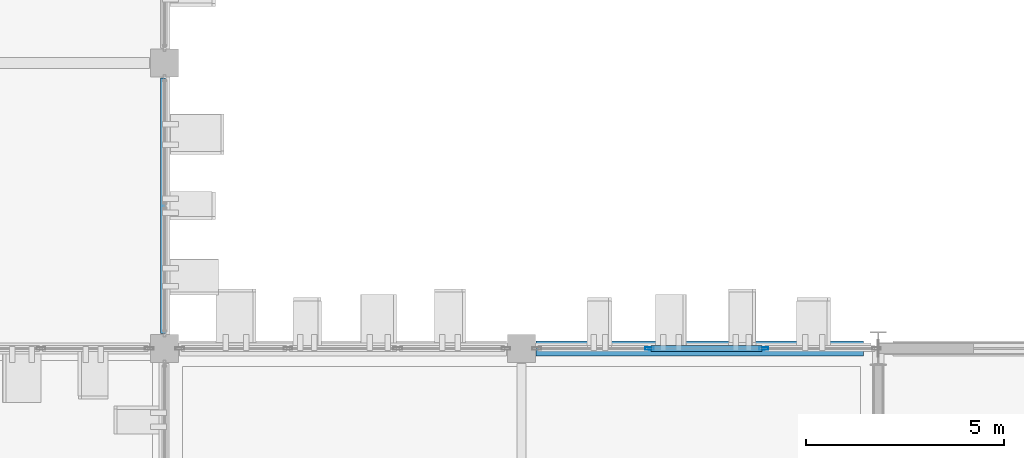
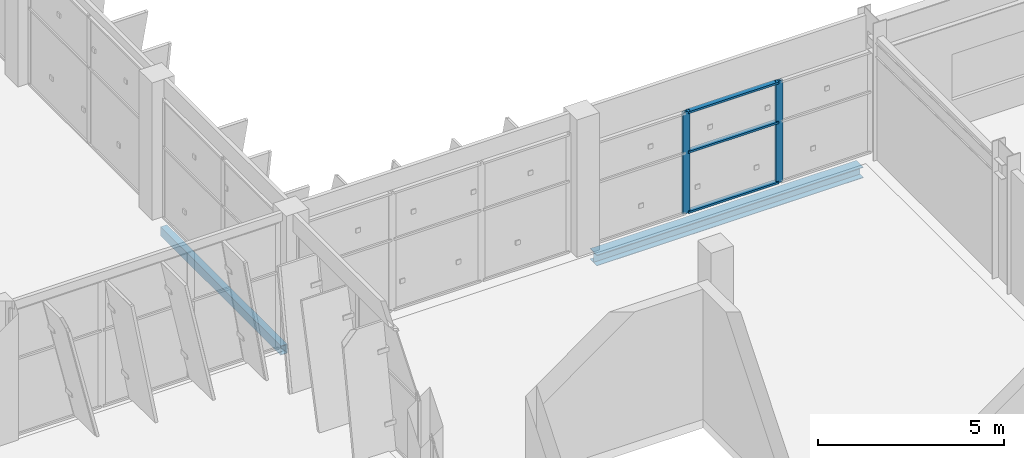
# One storey, part 46 of 151: 5 members, 2 beams, 1 element without a shape of its own.
"""IFC4 building model written with IfcOpenShell, lengths in metres."""

from ifc_helpers import new_model, si_unit, direction, frame, origin, origin_2d, place, context, subcontext, project, spatial, hollow_rectangle, i_section, extrude, material, layer, layer_set, material_profile, profile_set, type_object, element, aggregate, save


model = new_model("IFC4")

# Units and contexts
model_context = context("Model", 3, precision=1e-05, world=origin(), true_north=direction((0.0, 1.0)))
body_context = subcontext(model_context, "Body", "Model", "MODEL_VIEW")
ifc_project = project(units=[si_unit("LENGTHUNIT", "METRE"), si_unit("AREAUNIT", "SQUARE_METRE"), si_unit("VOLUMEUNIT", "CUBIC_METRE"), si_unit("PLANEANGLEUNIT", "RADIAN"), si_unit("MASSUNIT", "GRAM", prefix="KILO")], contexts=[model_context])

# Site, building, storey
site_placement = place(None, origin())
site = spatial("IfcSite", under=ifc_project, at=site_placement, CompositionType="ELEMENT")
building_placement = place(site_placement, origin())
building = spatial("IfcBuilding", under=site, at=building_placement, Name="Celestram Park Convention Centre", CompositionType="ELEMENT")
storey_placement = place(building_placement, frame((0.0, 0.0, 10.800048828125)))
storey = spatial("IfcBuildingStorey", under=building, at=storey_placement, Name="L02", CompositionType="ELEMENT", Elevation=10.800048828125)

# Curtain wall, members
ifc_material_1 = material(Name="Anodised Aluminium Alloy 6063-T6", Category="aluminium")
ifc_layer = layer(ifc_material_1, 0.179931640625)
ifc_layer_set = layer_set([ifc_layer], Name="Anodised Aluminium Alloy 6063-T6")
curtain_wall_type = type_object("IfcCurtainWallType", Name="ARC-CW-864X334", PredefinedType="NOTDEFINED", material=ifc_layer_set)
curtain_wall_placement = place(storey_placement, origin())
curtain_wall = element("IfcCurtainWall", 1, at=curtain_wall_placement, inside=storey, type_object=curtain_wall_type, Name="Unitised curtain wall CU-L02-145", PredefinedType="NOTDEFINED")
ifc_material_profile_1 = material_profile(ifc_material_1, hollow_rectangle(XDim=0.074951171875, YDim=0.219970703125, WallThickness=0.00390625, at=origin_2d()), Name="ALU75X220X4")
ifc_profile_set_1 = profile_set([ifc_material_profile_1], Name="Anodised Aluminium Alloy 6063-T6")
member_type_1 = type_object("IfcMemberType", Name="ARC-CWM-180", PredefinedType="MULLION", material=ifc_profile_set_1)
member_1_placement = place(storey_placement, frame((156.229736328125, 36.0, 0.0), z_axis=(0.0, 0.0, 1.0), x_axis=(0.0, 1.0, 0.0)))
member_1 = element("IfcMember", 2, at=member_1_placement, type_object=member_type_1, Name="CW-86X33 mullion 2", PredefinedType="MULLION", context=body_context, shape_type="SweptSolid", body=[
    extrude(hollow_rectangle(XDim=0.074951171875, YDim=0.219970703125, WallThickness=0.00390625, at=origin_2d()), origin(), (0.0, 0.0, 1.0), 3.3359375),
])
member_2_placement = place(storey_placement, frame((159.111328125, 36.0, 0.0), z_axis=(0.0, 0.0, 1.0), x_axis=(0.0, 1.0, 0.0)))
member_2 = element("IfcMember", 3, at=member_2_placement, type_object=member_type_1, Name="CW-86X33 mullion 3", PredefinedType="MULLION", context=body_context, shape_type="SweptSolid", body=[
    extrude(hollow_rectangle(XDim=0.074951171875, YDim=0.219970703125, WallThickness=0.00390625, at=origin_2d()), origin(), (0.0, 0.0, 1.0), 3.3359375),
])
ifc_material_profile_2 = material_profile(ifc_material_1, hollow_rectangle(XDim=0.14990234375, YDim=0.06494140625, WallThickness=0.0029296875, at=origin_2d()), Name="ALU150X65X3")
ifc_profile_set_2 = profile_set([ifc_material_profile_2], Name="Anodised Aluminium Alloy 6063-T6")
member_type_2 = type_object("IfcMemberType", Name="ARC-CWT-150", PredefinedType="USERDEFINED", material=ifc_profile_set_2)
member_3_placement = place(storey_placement, frame((156.26708984375, 36.0, 0.032470703125), z_axis=(1.0, 0.0, 0.0), x_axis=(0.0, 1.0, 0.0)))
member_3 = element("IfcMember", 4, at=member_3_placement, type_object=member_type_2, Name="CW-86X33 transom 2.1", ObjectType="TRANSOM", PredefinedType="USERDEFINED", context=body_context, shape_type="SweptSolid", body=[
    extrude(hollow_rectangle(XDim=0.14990234375, YDim=0.06494140625, WallThickness=0.0029296875, at=origin_2d()), origin(), (0.0, 0.0, 1.0), 2.806640625),
])
member_4_placement = place(storey_placement, frame((156.26708984375, 36.0, 2.001953125), z_axis=(1.0, 0.0, 0.0), x_axis=(0.0, 1.0, 0.0)))
member_4 = element("IfcMember", 5, at=member_4_placement, type_object=member_type_2, Name="CW-86X33 transom 2.2", ObjectType="TRANSOM", PredefinedType="USERDEFINED", context=body_context, shape_type="SweptSolid", body=[
    extrude(hollow_rectangle(XDim=0.14990234375, YDim=0.06494140625, WallThickness=0.0029296875, at=origin_2d()), origin(), (0.0, 0.0, 1.0), 2.806640625),
])
member_5_placement = place(storey_placement, frame((156.26708984375, 36.0, 3.303466796875), z_axis=(1.0, 0.0, 0.0), x_axis=(0.0, 1.0, 0.0)))
member_5 = element("IfcMember", 6, at=member_5_placement, type_object=member_type_2, Name="CW-86X33 transom 2.3", ObjectType="TRANSOM", PredefinedType="USERDEFINED", context=body_context, shape_type="SweptSolid", body=[
    extrude(hollow_rectangle(XDim=0.14990234375, YDim=0.06494140625, WallThickness=0.0029296875, at=origin_2d()), origin(), (0.0, 0.0, 1.0), 2.806640625),
])
aggregate(curtain_wall, [member_1, member_2, member_3, member_4, member_5])

# Beams
ifc_material_2 = material(Name="Steel ASTM A500 Grade C", Category="steel")
ifc_material_profile_3 = material_profile(ifc_material_2, hollow_rectangle(XDim=0.199951171875, YDim=0.300048828125, WallThickness=0.011962890625, at=origin_2d()), Name="HSS300X200X12")
ifc_profile_set_3 = profile_set([ifc_material_profile_3], Name="Steel ASTM A500 Grade C")
beam_type_1 = type_object("IfcBeamType", Name="STR-SPN-HSS300X200", PredefinedType="SPANDREL", material=ifc_profile_set_3)
beam_1_placement = place(storey_placement, frame((144.0, 36.373046875, -0.429931640625), z_axis=(0.0, 1.0, 0.0), x_axis=(-1.0, 0.0, 0.0)))
element("IfcBeam", 7, at=beam_1_placement, inside=storey, type_object=beam_type_1, Name="Primary Y-girder BG-L02-0243", PredefinedType="SPANDREL", context=body_context, shape_type="SweptSolid", body=[
    extrude(hollow_rectangle(XDim=0.199951171875, YDim=0.300048828125, WallThickness=0.011962890625, at=origin_2d()), origin(), (0.0, 0.0, 1.0), 6.453857421875),
])
ifc_material_3 = material(Name="Steel ASTM A992 Grade 50", Category="steel")
ifc_material_profile_4 = material_profile(ifc_material_3, i_section(OverallWidth=0.367919921875, OverallDepth=0.35595703125, WebThickness=0.01123046875, FlangeThickness=0.01806640625, at=origin_2d()), Name="W14X90")
ifc_profile_set_4 = profile_set([ifc_material_profile_4], Name="Steel ASTM A992 Grade 50")
beam_type_2 = type_object("IfcBeamType", Name="STR-SPN-W14X90", PredefinedType="SPANDREL", material=ifc_profile_set_4)
beam_2_placement = place(storey_placement, frame((153.373046875, 36.0, -0.4580078125), z_axis=(1.0, 0.0, 0.0), x_axis=(0.0, 1.0, 0.0)))
element("IfcBeam", 8, at=beam_2_placement, inside=storey, type_object=beam_type_2, Name="Primary X-girder BG-L02-0274", PredefinedType="SPANDREL", context=body_context, shape_type="SweptSolid", body=[
    extrude(i_section(OverallWidth=0.367919921875, OverallDepth=0.35595703125, WebThickness=0.01123046875, FlangeThickness=0.01806640625, at=origin_2d()), origin(), (0.0, 0.0, 1.0), 8.25390625),
])

save(model, "model.ifc")
